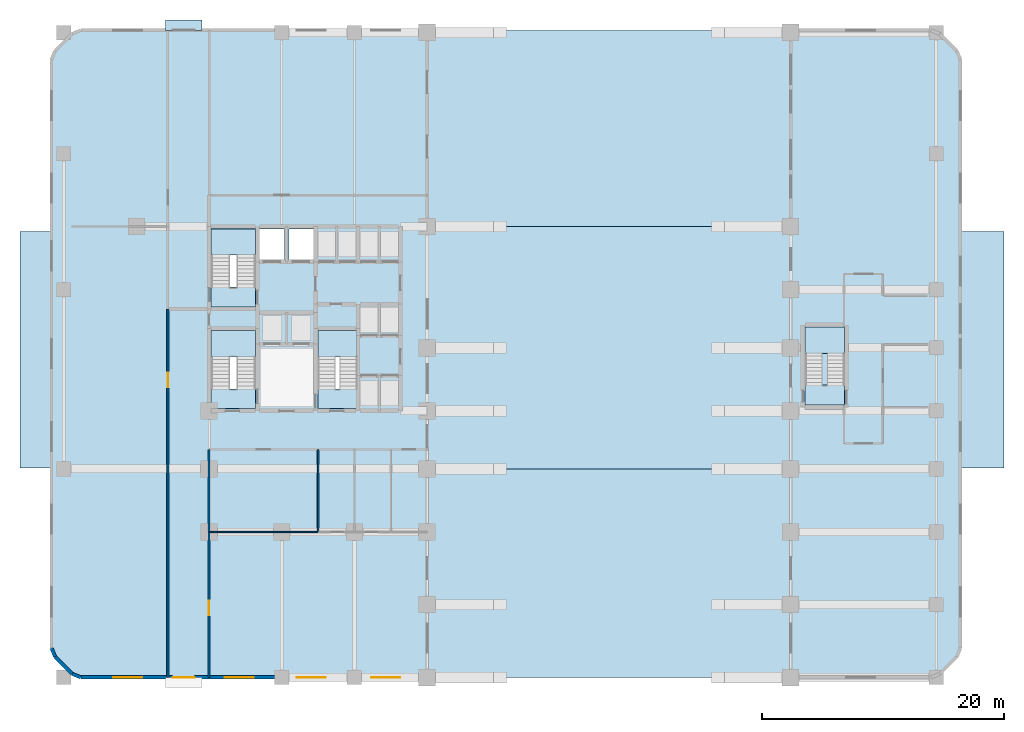
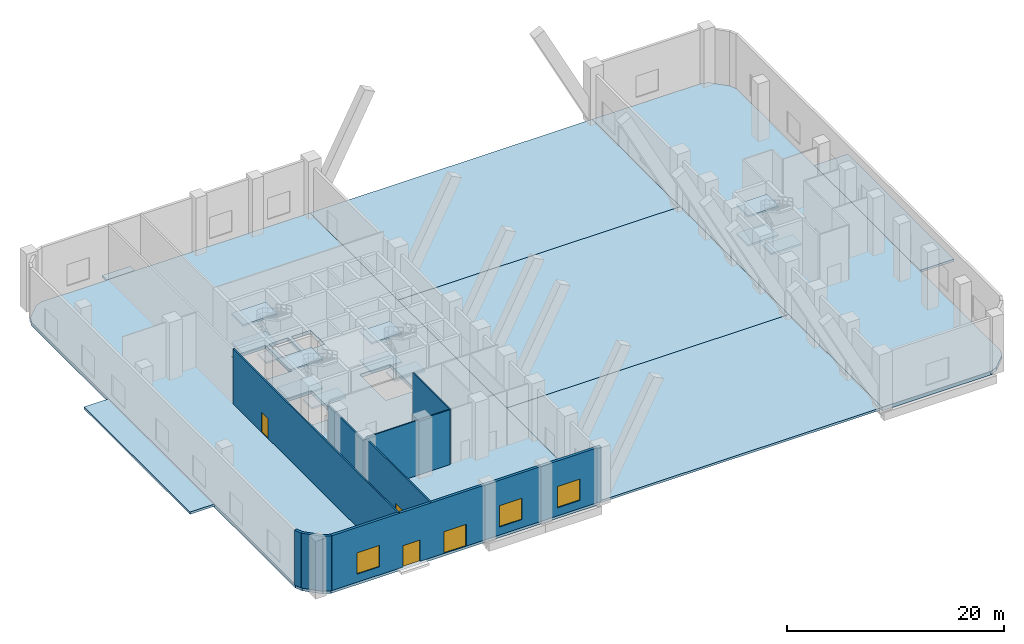
# One storey, part 2 of 10: 20 slabs, 9 walls, 4 doors, 3 windows, 7 openings, 4 elements without a shape of their own.
"""IFC4 building model written with IfcOpenShell, lengths in metres."""

from ifc_helpers import new_model, si_unit, direction, frame, frame_2d, origin, place, context, subcontext, project, spatial, polyline, rectangle, outline, extrude, material, layer, layer_set, type_object, element, fill, aggregate, save


model = new_model("IFC4")

# Units and contexts
model_context = context("Model", 3, precision=1e-05, world=origin(), true_north=direction((0.0, 1.0)))
body_context = subcontext(model_context, "Body", "Model", "MODEL_VIEW")
ifc_project = project(units=[si_unit("LENGTHUNIT", "METRE"), si_unit("AREAUNIT", "SQUARE_METRE"), si_unit("VOLUMEUNIT", "CUBIC_METRE"), si_unit("PLANEANGLEUNIT", "RADIAN"), si_unit("MASSUNIT", "GRAM", prefix="KILO")], contexts=[model_context])

# Site, building, storey
site_placement = place(None, origin())
site = spatial("IfcSite", under=ifc_project, at=site_placement, CompositionType="ELEMENT")
building_placement = place(site_placement, origin())
building = spatial("IfcBuilding", under=site, at=building_placement, Name="Keshet Zoharim Tower", CompositionType="ELEMENT")
storey_placement = place(building_placement, origin())
storey = spatial("IfcBuildingStorey", under=building, at=storey_placement, Name="L00", CompositionType="ELEMENT", Elevation=0.0)

# Slab
ifc_material_1 = material(Name="Concrete C50/60 precast", Category="concrete")
ifc_layer_1 = layer(ifc_material_1, 0.25)
ifc_layer_set_1 = layer_set([ifc_layer_1], Name="Concrete C50/60 precast")
slab_type_1 = type_object("IfcSlabType", Name="SLB-APR-250", PredefinedType="USERDEFINED", material=ifc_layer_set_1)
slab_1_placement = place(storey_placement, frame((0.0, 0.0, -0.25)))
element("IfcSlab", 1, at=slab_1_placement, inside=storey, type_object=slab_type_1, Name="North Exit Discharge Threshold Apron 01", ObjectType="APPROACH_SLAB", PredefinedType="USERDEFINED", context=body_context, shape_type="SweptSolid", body=[
    extrude(outline(polyline([(11.39990234375, 54.10009765625), (11.39990234375, 54.949951171875), (14.39990234375, 54.949951171875), (14.39990234375, 54.10009765625), (11.39990234375, 54.10009765625)])), origin(), (0.0, 0.0, 1.0), 0.25),
])

# Stair, slabs
ifc_material_2 = material(Name="Concrete C50/60", Category="concrete")
stair_type = type_object("IfcStairType", Name="STR-POD-135", PredefinedType="HALF_TURN_STAIR", material=ifc_material_2)
stair_1_placement = place(storey_placement, origin())
stair_1 = element("IfcStair", 2, at=stair_1_placement, inside=storey, type_object=stair_type, Name="L00 Enclosed Exit Stair ST-01", PredefinedType="HALF_TURN_STAIR")
ifc_layer_2 = layer(ifc_material_2, 0.199951171875)
ifc_layer_set_2 = layer_set([ifc_layer_2], Name="Concrete C50/60")
slab_type_2 = type_object("IfcSlabType", Name="SLB-LND-200", PredefinedType="LANDING", material=ifc_layer_set_2)
slab_2_placement = place(storey_placement, frame((0.0, 0.0, 1.425048828125)))
slab_2 = element("IfcSlab", 3, at=slab_2_placement, type_object=slab_type_2, Name="ST-01 landing 1", PredefinedType="LANDING", context=body_context, shape_type="SweptSolid", body=[
    extrude(outline(polyline([(15.179931640625, 27.14990234375), (18.820068359375, 27.14990234375), (18.820068359375, 29.320068359375), (15.179931640625, 29.320068359375), (15.179931640625, 27.14990234375)])), origin(), (0.0, 0.0, 1.0), 0.199951171875),
])
slab_3_placement = place(storey_placement, frame((0.0, 0.0, 3.050048828125)))
slab_3 = element("IfcSlab", 4, at=slab_3_placement, type_object=slab_type_2, Name="ST-01 landing 2", PredefinedType="LANDING", context=body_context, shape_type="SweptSolid", body=[
    extrude(outline(polyline([(15.179931640625, 22.8798828125), (18.820068359375, 22.8798828125), (18.820068359375, 24.52001953125), (15.179931640625, 24.52001953125), (15.179931640625, 22.8798828125)])), origin(), (0.0, 0.0, 1.0), 0.199951171875),
])
slab_4_placement = place(storey_placement, frame((0.0, 0.0, 4.675048828125)))
slab_4 = element("IfcSlab", 5, at=slab_4_placement, type_object=slab_type_2, Name="ST-01 landing 3", PredefinedType="LANDING", context=body_context, shape_type="SweptSolid", body=[
    extrude(outline(polyline([(15.179931640625, 27.14990234375), (18.820068359375, 27.14990234375), (18.820068359375, 29.320068359375), (15.179931640625, 29.320068359375), (15.179931640625, 27.14990234375)])), origin(), (0.0, 0.0, 1.0), 0.199951171875),
])
aggregate(stair_1, [slab_2, slab_3, slab_4])

stair_2_placement = place(storey_placement, origin())
stair_2 = element("IfcStair", 6, at=stair_2_placement, inside=storey, type_object=stair_type, Name="L00 Enclosed Exit Stair ST-02", PredefinedType="HALF_TURN_STAIR")
slab_5_placement = place(storey_placement, frame((0.0, 0.0, 1.425048828125)))
slab_5 = element("IfcSlab", 7, at=slab_5_placement, type_object=slab_type_2, Name="ST-02 landing 1", PredefinedType="LANDING", context=body_context, shape_type="SweptSolid", body=[
    extrude(outline(polyline([(15.179931640625, 35.550048828125), (18.820068359375, 35.550048828125), (18.820068359375, 37.719970703125), (15.179931640625, 37.719970703125), (15.179931640625, 35.550048828125)])), origin(), (0.0, 0.0, 1.0), 0.199951171875),
])
slab_6_placement = place(storey_placement, frame((0.0, 0.0, 3.050048828125)))
slab_6 = element("IfcSlab", 8, at=slab_6_placement, type_object=slab_type_2, Name="ST-02 landing 2", PredefinedType="LANDING", context=body_context, shape_type="SweptSolid", body=[
    extrude(outline(polyline([(15.179931640625, 31.280029296875), (18.820068359375, 31.280029296875), (18.820068359375, 32.919921875), (15.179931640625, 32.919921875), (15.179931640625, 31.280029296875)])), origin(), (0.0, 0.0, 1.0), 0.199951171875),
])
slab_7_placement = place(storey_placement, frame((0.0, 0.0, 4.675048828125)))
slab_7 = element("IfcSlab", 9, at=slab_7_placement, type_object=slab_type_2, Name="ST-02 landing 3", PredefinedType="LANDING", context=body_context, shape_type="SweptSolid", body=[
    extrude(outline(polyline([(15.179931640625, 35.550048828125), (18.820068359375, 35.550048828125), (18.820068359375, 37.719970703125), (15.179931640625, 37.719970703125), (15.179931640625, 35.550048828125)])), origin(), (0.0, 0.0, 1.0), 0.199951171875),
])
aggregate(stair_2, [slab_5, slab_6, slab_7])

stair_3_placement = place(storey_placement, origin())
stair_3 = element("IfcStair", 10, at=stair_3_placement, inside=storey, type_object=stair_type, Name="L00 Enclosed Exit Stair ST-03", PredefinedType="HALF_TURN_STAIR")
slab_8_placement = place(storey_placement, frame((0.0, 0.0, 1.425048828125)))
slab_8 = element("IfcSlab", 11, at=slab_8_placement, type_object=slab_type_2, Name="ST-03 landing 1", PredefinedType="LANDING", context=body_context, shape_type="SweptSolid", body=[
    extrude(outline(polyline([(23.97998046875, 27.14990234375), (27.219970703125, 27.14990234375), (27.219970703125, 29.320068359375), (23.97998046875, 29.320068359375), (23.97998046875, 27.14990234375)])), origin(), (0.0, 0.0, 1.0), 0.199951171875),
])
slab_9_placement = place(storey_placement, frame((0.0, 0.0, 3.050048828125)))
slab_9 = element("IfcSlab", 12, at=slab_9_placement, type_object=slab_type_2, Name="ST-03 landing 2", PredefinedType="LANDING", context=body_context, shape_type="SweptSolid", body=[
    extrude(outline(polyline([(23.97998046875, 22.8798828125), (27.219970703125, 22.8798828125), (27.219970703125, 24.52001953125), (23.97998046875, 24.52001953125), (23.97998046875, 22.8798828125)])), origin(), (0.0, 0.0, 1.0), 0.199951171875),
])
slab_10_placement = place(storey_placement, frame((0.0, 0.0, 4.675048828125)))
slab_10 = element("IfcSlab", 13, at=slab_10_placement, type_object=slab_type_2, Name="ST-03 landing 3", PredefinedType="LANDING", context=body_context, shape_type="SweptSolid", body=[
    extrude(outline(polyline([(23.97998046875, 27.14990234375), (27.219970703125, 27.14990234375), (27.219970703125, 29.320068359375), (23.97998046875, 29.320068359375), (23.97998046875, 27.14990234375)])), origin(), (0.0, 0.0, 1.0), 0.199951171875),
])
aggregate(stair_3, [slab_8, slab_9, slab_10])

stair_4_placement = place(storey_placement, origin())
stair_4 = element("IfcStair", 14, at=stair_4_placement, inside=storey, type_object=stair_type, Name="L00 Enclosed Exit Stair ST-04", PredefinedType="HALF_TURN_STAIR")
slab_11_placement = place(storey_placement, frame((0.0, 0.0, 1.425048828125)))
slab_11 = element("IfcSlab", 15, at=slab_11_placement, type_object=slab_type_2, Name="ST-04 landing 1", PredefinedType="LANDING", context=body_context, shape_type="SweptSolid", body=[
    extrude(outline(polyline([(64.179931640625, 27.449951171875), (67.419921875, 27.449951171875), (67.419921875, 29.6201171875), (64.179931640625, 29.6201171875), (64.179931640625, 27.449951171875)])), origin(), (0.0, 0.0, 1.0), 0.199951171875),
])
slab_12_placement = place(storey_placement, frame((0.0, 0.0, 3.050048828125)))
slab_12 = element("IfcSlab", 16, at=slab_12_placement, type_object=slab_type_2, Name="ST-04 landing 2", PredefinedType="LANDING", context=body_context, shape_type="SweptSolid", body=[
    extrude(outline(polyline([(64.179931640625, 23.179931640625), (67.419921875, 23.179931640625), (67.419921875, 24.820068359375), (64.179931640625, 24.820068359375), (64.179931640625, 23.179931640625)])), origin(), (0.0, 0.0, 1.0), 0.199951171875),
])
slab_13_placement = place(storey_placement, frame((0.0, 0.0, 4.675048828125)))
slab_13 = element("IfcSlab", 17, at=slab_13_placement, type_object=slab_type_2, Name="ST-04 landing 3", PredefinedType="LANDING", context=body_context, shape_type="SweptSolid", body=[
    extrude(outline(polyline([(64.179931640625, 27.449951171875), (67.419921875, 27.449951171875), (67.419921875, 29.6201171875), (64.179931640625, 29.6201171875), (64.179931640625, 27.449951171875)])), origin(), (0.0, 0.0, 1.0), 0.199951171875),
])
aggregate(stair_4, [slab_11, slab_12, slab_13])

# Slabs
ifc_layer_3 = layer(ifc_material_1, 0.25)
ifc_layer_set_3 = layer_set([ifc_layer_3], Name="Concrete C50/60 precast")
slab_type_3 = type_object("IfcSlabType", Name="SLB-PAV-250", PredefinedType="USERDEFINED", material=ifc_layer_set_3)
slab_14_placement = place(storey_placement, frame((0.0, 0.0, -0.25)))
element("IfcSlab", 18, at=slab_14_placement, inside=storey, type_object=slab_type_3, Name="Street Entrance Forecourt Paving WEST", ObjectType="PAVING", PredefinedType="USERDEFINED", context=body_context, shape_type="SweptSolid", body=[
    extrude(outline(polyline([(-0.60009765625, 18.0), (2.0, 18.0), (2.0, 37.5), (-0.60009765625, 37.5), (-0.60009765625, 18.0)])), origin(), (0.0, 0.0, 1.0), 0.25),
])
slab_15_placement = place(storey_placement, frame((0.0, 0.0, -0.25)))
element("IfcSlab", 19, at=slab_15_placement, inside=storey, type_object=slab_type_3, Name="Street Entrance Forecourt Paving EAST", ObjectType="PAVING", PredefinedType="USERDEFINED", context=body_context, shape_type="SweptSolid", body=[
    extrude(outline(polyline([(77.0, 18.0), (80.60009765625, 18.0), (80.60009765625, 37.5), (77.0, 37.5), (77.0, 18.0)])), origin(), (0.0, 0.0, 1.0), 0.25),
])
slab_16_placement = place(storey_placement, frame((0.0, 0.0, -0.25)))
element("IfcSlab", 20, at=slab_16_placement, inside=storey, type_object=slab_type_3, Name="Public Arch Concourse Paving 1", ObjectType="PAVING", PredefinedType="USERDEFINED", context=body_context, shape_type="SweptSolid", body=[
    extrude(outline(polyline([(33.0, 0.699951171875), (63.0, 0.699951171875), (63.0, 17.89990234375), (33.0, 17.89990234375), (33.0, 0.699951171875)])), origin(), (0.0, 0.0, 1.0), 0.25),
])
slab_17_placement = place(storey_placement, frame((0.0, 0.0, -0.25)))
element("IfcSlab", 21, at=slab_17_placement, inside=storey, type_object=slab_type_3, Name="Public Arch Concourse Paving 2", ObjectType="PAVING", PredefinedType="USERDEFINED", context=body_context, shape_type="SweptSolid", body=[
    extrude(outline(polyline([(33.0, 17.89990234375), (63.0, 17.89990234375), (63.0, 37.89990234375), (33.0, 37.89990234375), (33.0, 17.89990234375)])), origin(), (0.0, 0.0, 1.0), 0.25),
])
slab_18_placement = place(storey_placement, frame((0.0, 0.0, -0.25)))
element("IfcSlab", 22, at=slab_18_placement, inside=storey, type_object=slab_type_3, Name="Public Arch Concourse Paving 3", ObjectType="PAVING", PredefinedType="USERDEFINED", context=body_context, shape_type="SweptSolid", body=[
    extrude(outline(polyline([(33.0, 37.89990234375), (63.0, 37.89990234375), (63.0, 54.10009765625), (33.0, 54.10009765625), (33.0, 37.89990234375)])), origin(), (0.0, 0.0, 1.0), 0.25),
])
ifc_layer_4 = layer(ifc_material_2, 0.39990234375)
ifc_layer_set_4 = layer_set([ifc_layer_4], Name="Concrete C50/60")
slab_type_4 = type_object("IfcSlabType", Name="SLB-POD-400", PredefinedType="FLOOR", material=ifc_layer_set_4)
slab_19_placement = place(storey_placement, frame((0.0, 0.0, -0.39990234375)))
element("IfcSlab", 23, at=slab_19_placement, inside=storey, type_object=slab_type_4, Name="L00 Structural Floor Slab 1", PredefinedType="FLOOR", context=body_context, shape_type="SweptSolid", body=[
    extrude(outline(polyline([(2.0, 3.114013671875), (2.0, 51.68603515625), (2.29296875, 52.39306640625), (3.70703125, 53.806884765625), (4.4140625, 54.10009765625), (33.0, 54.10009765625), (33.0, 0.699951171875), (4.4140625, 0.699951171875), (3.70703125, 0.992919921875), (2.29296875, 2.406982421875), (2.0, 3.114013671875)]), holes=[polyline([(15.179931640625, 24.52001953125), (18.820068359375, 24.52001953125), (18.820068359375, 29.320068359375), (15.179931640625, 29.320068359375), (15.179931640625, 24.52001953125)]), polyline([(15.179931640625, 32.919921875), (18.820068359375, 32.919921875), (18.820068359375, 37.719970703125), (15.179931640625, 37.719970703125), (15.179931640625, 32.919921875)]), polyline([(23.97998046875, 24.52001953125), (27.219970703125, 24.52001953125), (27.219970703125, 29.320068359375), (23.97998046875, 29.320068359375), (23.97998046875, 24.52001953125)]), polyline([(19.179931640625, 35.14990234375), (21.219970703125, 35.14990234375), (21.219970703125, 37.719970703125), (19.179931640625, 37.719970703125), (19.179931640625, 35.14990234375)]), polyline([(21.580078125, 35.14990234375), (23.6201171875, 35.14990234375), (23.6201171875, 37.719970703125), (21.580078125, 37.719970703125), (21.580078125, 35.14990234375)])]), origin(), (0.0, 0.0, 1.0), 0.39990234375),
])
slab_20_placement = place(storey_placement, frame((0.0, 0.0, -0.39990234375)))
element("IfcSlab", 24, at=slab_20_placement, inside=storey, type_object=slab_type_4, Name="L00 Structural Floor Slab 2", PredefinedType="FLOOR", context=body_context, shape_type="SweptSolid", body=[
    extrude(outline(polyline([(74.5859375, 54.10009765625), (75.29296875, 53.806884765625), (76.70703125, 52.39306640625), (77.0, 51.68603515625), (77.0, 3.114013671875), (76.70703125, 2.406982421875), (75.29296875, 0.992919921875), (74.5859375, 0.699951171875), (63.0, 0.699951171875), (63.0, 54.10009765625), (74.5859375, 54.10009765625)])), origin(), (0.0, 0.0, 1.0), 0.39990234375),
])

# Wall, opening, door
ifc_material_3 = material(Name="Gypsum Plasterboard", Category="gypsum")
ifc_layer_5 = layer(ifc_material_3, 0.14990234375)
ifc_layer_set_5 = layer_set([ifc_layer_5], Name="Gypsum Plasterboard")
wall_type_1 = type_object("IfcWallType", Name="WL-CLIN-150", PredefinedType="STANDARD", material=ifc_layer_set_5)
wall_1_placement = place(storey_placement, frame((11.60009765625, 0.7099609375, 0.0), z_axis=(0.0, 0.0, 1.0), x_axis=(0.0, 1.0, 0.0)))
wall_1 = element("IfcWall", 25, at=wall_1_placement, inside=storey, type_object=wall_type_1, Name="L00 Interior Wall 001", PredefinedType="STANDARD", context=body_context, shape_type="SweptSolid", body=[
    extrude(rectangle(XDim=30.39013671875, YDim=0.14990234375, at=frame_2d((15.195068359375, 0.0))), origin(), (0.0, 0.0, 1.0), 6.169921875),
])
opening_1_placement = place(wall_1_placement, frame((23.9150390625, 0.0, 0.0)))
opening_1 = element("IfcOpeningElement", 26, at=opening_1_placement, cuts=wall_1, Name="Opening D-F612", PredefinedType="OPENING", context=body_context, shape_type="SweptSolid", body=[
    extrude(rectangle(XDim=1.199951171875, YDim=2.199951171875, at=frame_2d((0.60009765625, 1.10009765625))), frame((0.0, 0.0849609375, 0.0), z_axis=(0.0, -1.0, 0.0), x_axis=(1.0, 0.0, 0.0)), (0.0, 0.0, 1.0), 0.169921875),
])
ifc_material_4 = material(Name="Hardwood Timber", Category="wood")
door_type_1 = type_object("IfcDoorType", Name="DR-FD60-120", OperationType="NOTDEFINED", PredefinedType="DOOR", material=ifc_material_4)
door_1_placement = place(opening_1_placement, origin())
door_1 = element("IfcDoor", 27, at=door_1_placement, inside=storey, type_object=door_type_1, Name="Residential Entrance Lobby Internal Fire Door", OperationType="SINGLE_SWING_RIGHT", OverallHeight=2.199951171875, OverallWidth=1.199951171875, PredefinedType="DOOR", context=body_context, shape_type="SweptSolid", body=[
    extrude(rectangle(XDim=1.199951171875, YDim=2.199951171875, at=frame_2d((0.60009765625, 1.10009765625))), frame((0.0, 0.02490234375, 0.0), z_axis=(0.0, -1.0, 0.0), x_axis=(1.0, 0.0, 0.0)), (0.0, 0.0, 1.0), 0.050048828125),
])
fill(opening_1, door_1)

wall_2_placement = place(storey_placement, frame((15.0, 0.7099609375, 0.0), z_axis=(0.0, 0.0, 1.0), x_axis=(0.0, 1.0, 0.0)))
wall_2 = element("IfcWall", 28, at=wall_2_placement, inside=storey, type_object=wall_type_1, Name="L00 Interior Wall 004", PredefinedType="STANDARD", context=body_context, shape_type="SweptSolid", body=[
    extrude(rectangle(XDim=11.989990234375, YDim=0.14990234375, at=frame_2d((5.9951171875, 0.0))), origin(), (0.0, 0.0, 1.0), 6.169921875),
])
opening_2_placement = place(wall_2_placement, frame((5.118896484375, 0.0, 0.0)))
opening_2 = element("IfcOpeningElement", 29, at=opening_2_placement, cuts=wall_2, Name="Opening D-F612", PredefinedType="OPENING", context=body_context, shape_type="SweptSolid", body=[
    extrude(rectangle(XDim=1.199951171875, YDim=2.199951171875, at=frame_2d((0.60009765625, 1.10009765625))), frame((0.0, 0.0849609375, 0.0), z_axis=(0.0, -1.0, 0.0), x_axis=(1.0, 0.0, 0.0)), (0.0, 0.0, 1.0), 0.169921875),
])
door_2_placement = place(opening_2_placement, origin())
door_2 = element("IfcDoor", 30, at=door_2_placement, inside=storey, type_object=door_type_1, Name="South Concourse Residents Foyer Door", OperationType="SINGLE_SWING_RIGHT", OverallHeight=2.199951171875, OverallWidth=1.199951171875, PredefinedType="DOOR", context=body_context, shape_type="SweptSolid", body=[
    extrude(rectangle(XDim=1.199951171875, YDim=2.199951171875, at=frame_2d((0.60009765625, 1.10009765625))), frame((0.0, 0.02490234375, 0.0), z_axis=(0.0, -1.0, 0.0), x_axis=(1.0, 0.0, 0.0)), (0.0, 0.0, 1.0), 0.050048828125),
])
fill(opening_2, door_2)

# Wall
wall_3_placement = place(storey_placement, frame((15.0, 12.699951171875, 0.0), z_axis=(0.0, 0.0, 1.0), x_axis=(0.0, 1.0, 0.0)))
element("IfcWall", 31, at=wall_3_placement, inside=storey, type_object=wall_type_1, Name="L00 Interior Wall 005", PredefinedType="STANDARD", context=body_context, shape_type="SweptSolid", body=[
    extrude(rectangle(XDim=6.800048828125, YDim=0.14990234375, at=frame_2d((3.39990234375, 0.0))), origin(), (0.0, 0.0, 1.0), 5.669921875),
])

# Wall, openings, doors, windows
ifc_layer_6 = layer(ifc_material_1, 0.280029296875)
ifc_layer_set_6 = layer_set([ifc_layer_6], Name="Concrete C50/60 precast")
wall_type_2 = type_object("IfcWallType", Name="WL-EXT-280", PredefinedType="STANDARD", material=ifc_layer_set_6)
wall_4_placement = place(storey_placement, frame((33.0, 0.699951171875, 0.0), z_axis=(0.0, 0.0, 1.0), x_axis=(-1.0, 0.0, 0.0)))
wall_4 = element("IfcWall", 32, at=wall_4_placement, inside=storey, type_object=wall_type_2, Name="L00 Podium Precast Facade Wall 07", PredefinedType="STANDARD", context=body_context, shape_type="SweptSolid", body=[
    extrude(rectangle(XDim=28.5859375, YDim=0.280029296875, at=frame_2d((14.29296875, 0.0))), origin(), (0.0, 0.0, 1.0), 6.169921875),
])
opening_3_placement = place(wall_4_placement, frame((19.199951171875, 0.0, 0.0)))
opening_3 = element("IfcOpeningElement", 33, at=opening_3_placement, cuts=wall_4, Name="Opening D-EX18", PredefinedType="OPENING", context=body_context, shape_type="SweptSolid", body=[
    extrude(rectangle(XDim=1.800048828125, YDim=2.39990234375, at=frame_2d((0.89990234375, 1.199951171875))), frame((0.0, 0.14990234375, 0.0), z_axis=(0.0, -1.0, 0.0), x_axis=(1.0, 0.0, 0.0)), (0.0, 0.0, 1.0), 0.300048828125),
])
opening_4_placement = place(wall_4_placement, frame((14.29296875, 0.0, 0.0)))
opening_4 = element("IfcOpeningElement", 34, at=opening_4_placement, cuts=wall_4, Name="Opening G-SV24", PredefinedType="OPENING", context=body_context, shape_type="SweptSolid", body=[
    extrude(rectangle(XDim=2.39990234375, YDim=2.449951171875, at=frame_2d((1.199951171875, 1.22509765625))), frame((0.0, 0.14990234375, 0.0), z_axis=(0.0, -1.0, 0.0), x_axis=(1.0, 0.0, 0.0)), (0.0, 0.0, 1.0), 0.300048828125),
])
opening_5_placement = place(wall_4_placement, frame((2.222900390625, 0.0, 0.89990234375)))
opening_5 = element("IfcOpeningElement", 35, at=opening_5_placement, cuts=wall_4, Name="Opening W-240", PredefinedType="OPENING", context=body_context, shape_type="SweptSolid", body=[
    extrude(rectangle(XDim=2.39990234375, YDim=2.39990234375, at=frame_2d((1.199951171875, 1.199951171875))), frame((0.0, 0.14990234375, 0.0), z_axis=(0.0, -1.0, 0.0), x_axis=(1.0, 0.0, 0.0)), (0.0, 0.0, 1.0), 0.300048828125),
])
opening_6_placement = place(wall_4_placement, frame((8.3701171875, 0.0, 0.89990234375)))
opening_6 = element("IfcOpeningElement", 36, at=opening_6_placement, cuts=wall_4, Name="Opening W-240", PredefinedType="OPENING", context=body_context, shape_type="SweptSolid", body=[
    extrude(rectangle(XDim=2.39990234375, YDim=2.39990234375, at=frame_2d((1.199951171875, 1.199951171875))), frame((0.0, 0.14990234375, 0.0), z_axis=(0.0, -1.0, 0.0), x_axis=(1.0, 0.0, 0.0)), (0.0, 0.0, 1.0), 0.300048828125),
])
opening_7_placement = place(wall_4_placement, frame((23.512939453125, 0.0, 0.89990234375)))
opening_7 = element("IfcOpeningElement", 37, at=opening_7_placement, cuts=wall_4, Name="Opening W-240", PredefinedType="OPENING", context=body_context, shape_type="SweptSolid", body=[
    extrude(rectangle(XDim=2.39990234375, YDim=2.39990234375, at=frame_2d((1.199951171875, 1.199951171875))), frame((0.0, 0.14990234375, 0.0), z_axis=(0.0, -1.0, 0.0), x_axis=(1.0, 0.0, 0.0)), (0.0, 0.0, 1.0), 0.300048828125),
])
ifc_material_5 = material(Name="Aluminium 6063-T6", Category="aluminium")
door_type_2 = type_object("IfcDoorType", Name="DR-EXT-180", OperationType="DOUBLE_DOOR_SINGLE_SWING", PredefinedType="DOOR", material=ifc_material_5)
door_3_placement = place(opening_3_placement, origin())
door_3 = element("IfcDoor", 38, at=door_3_placement, inside=storey, type_object=door_type_2, Name="South Street Protected Exit Discharge Door 05", OperationType="DOUBLE_DOOR_SINGLE_SWING", OverallHeight=2.39990234375, OverallWidth=1.800048828125, PredefinedType="DOOR", context=body_context, shape_type="SweptSolid", body=[
    extrude(rectangle(XDim=1.800048828125, YDim=2.39990234375, at=frame_2d((0.89990234375, 1.199951171875))), frame((0.0, 0.02490234375, 0.0), z_axis=(0.0, -1.0, 0.0), x_axis=(1.0, 0.0, 0.0)), (0.0, 0.0, 1.0), 0.050048828125),
])
fill(opening_3, door_3)
ifc_material_6 = material(Name="Steel S355", Category="steel")
door_type_3 = type_object("IfcDoorType", Name="DR-GAT-240", OperationType="ROLLINGUP", PredefinedType="GATE", material=ifc_material_6)
door_4_placement = place(opening_4_placement, origin())
door_4 = element("IfcDoor", 39, at=door_4_placement, inside=storey, type_object=door_type_3, Name="Ground Service Access Gate 01", OperationType="ROLLINGUP", OverallHeight=2.449951171875, OverallWidth=2.39990234375, PredefinedType="GATE", context=body_context, shape_type="SweptSolid", body=[
    extrude(rectangle(XDim=2.39990234375, YDim=2.449951171875, at=frame_2d((1.199951171875, 1.22509765625))), frame((0.0, 0.02490234375, 0.0), z_axis=(0.0, -1.0, 0.0), x_axis=(1.0, 0.0, 0.0)), (0.0, 0.0, 1.0), 0.050048828125),
])
fill(opening_4, door_4)
ifc_material_7 = material(Name="Insulated Low-E Clear Glass", Category="glass")
window_type = type_object("IfcWindowType", Name="WN-POD-240", PartitioningType="DOUBLE_PANEL_VERTICAL", PredefinedType="WINDOW", material=ifc_material_7)
window_1_placement = place(opening_5_placement, origin())
window_1 = element("IfcWindow", 40, at=window_1_placement, inside=storey, type_object=window_type, Name="Podium Storefront Window 14", OverallHeight=2.39990234375, OverallWidth=2.39990234375, PartitioningType="DOUBLE_PANEL_VERTICAL", PredefinedType="WINDOW", context=body_context, shape_type="SweptSolid", body=[
    extrude(rectangle(XDim=2.39990234375, YDim=2.39990234375, at=frame_2d((1.199951171875, 1.199951171875))), frame((0.0, 0.030029296875, 0.0), z_axis=(0.0, -1.0, 0.0), x_axis=(1.0, 0.0, 0.0)), (0.0, 0.0, 1.0), 0.06005859375),
])
fill(opening_5, window_1)
window_2_placement = place(opening_6_placement, origin())
window_2 = element("IfcWindow", 41, at=window_2_placement, inside=storey, type_object=window_type, Name="Podium Storefront Window 15", OverallHeight=2.39990234375, OverallWidth=2.39990234375, PartitioningType="DOUBLE_PANEL_VERTICAL", PredefinedType="WINDOW", context=body_context, shape_type="SweptSolid", body=[
    extrude(rectangle(XDim=2.39990234375, YDim=2.39990234375, at=frame_2d((1.199951171875, 1.199951171875))), frame((0.0, 0.030029296875, 0.0), z_axis=(0.0, -1.0, 0.0), x_axis=(1.0, 0.0, 0.0)), (0.0, 0.0, 1.0), 0.06005859375),
])
fill(opening_6, window_2)
window_3_placement = place(opening_7_placement, origin())
window_3 = element("IfcWindow", 42, at=window_3_placement, inside=storey, type_object=window_type, Name="Podium Storefront Window 16", OverallHeight=2.39990234375, OverallWidth=2.39990234375, PartitioningType="DOUBLE_PANEL_VERTICAL", PredefinedType="WINDOW", context=body_context, shape_type="SweptSolid", body=[
    extrude(rectangle(XDim=2.39990234375, YDim=2.39990234375, at=frame_2d((1.199951171875, 1.199951171875))), frame((0.0, 0.030029296875, 0.0), z_axis=(0.0, -1.0, 0.0), x_axis=(1.0, 0.0, 0.0)), (0.0, 0.0, 1.0), 0.06005859375),
])
fill(opening_7, window_3)

# Walls
wall_5_placement = place(storey_placement, frame((4.4140625, 0.699951171875, 0.0), z_axis=(0.0, 0.0, 1.0), x_axis=(-0.92383017907, 0.382802560388, 0.0)))
element("IfcWall", 43, at=wall_5_placement, inside=storey, type_object=wall_type_2, Name="L00 Podium Precast Facade Wall 08", PredefinedType="STANDARD", context=body_context, shape_type="SweptSolid", body=[
    extrude(rectangle(XDim=0.765380859375, YDim=0.280029296875, at=frame_2d((0.3828125, 0.0))), origin(), (0.0, 0.0, 1.0), 6.169921875),
])
wall_6_placement = place(storey_placement, frame((3.70703125, 0.992919921875, 0.0), z_axis=(0.0, 0.0, 1.0), x_axis=(-0.707106781187, 0.707106781187, 0.0)))
element("IfcWall", 44, at=wall_6_placement, inside=storey, type_object=wall_type_2, Name="L00 Podium Precast Facade Wall 09", PredefinedType="STANDARD", context=body_context, shape_type="SweptSolid", body=[
    extrude(rectangle(XDim=1.999755859375, YDim=0.280029296875, at=frame_2d((1.0, 0.0))), origin(), (0.0, 0.0, 1.0), 6.169921875),
])
wall_7_placement = place(storey_placement, frame((2.29296875, 2.406982421875, 0.0), z_axis=(0.0, 0.0, 1.0), x_axis=(-0.382802560388, 0.92383017907, 0.0)))
element("IfcWall", 45, at=wall_7_placement, inside=storey, type_object=wall_type_2, Name="L00 Podium Precast Facade Wall 10", PredefinedType="STANDARD", context=body_context, shape_type="SweptSolid", body=[
    extrude(rectangle(XDim=0.765380859375, YDim=0.280029296875, at=frame_2d((0.3828125, 0.0))), origin(), (0.0, 0.0, 1.0), 6.169921875),
])
ifc_layer_7 = layer(ifc_material_3, 0.1201171875)
ifc_layer_set_7 = layer_set([ifc_layer_7], Name="Gypsum Plasterboard")
wall_type_3 = type_object("IfcWallType", Name="WL-PART-120", PredefinedType="PARTITIONING", material=ifc_layer_set_7)
wall_8_placement = place(storey_placement, frame((15.06005859375, 12.699951171875, 0.0), z_axis=(0.0, 0.0, 1.0), x_axis=(1.0, 0.0, 0.0)))
element("IfcWall", 46, at=wall_8_placement, inside=storey, type_object=wall_type_3, Name="L00 Interior Wall 047", PredefinedType="PARTITIONING", context=body_context, shape_type="SweptSolid", body=[
    extrude(rectangle(XDim=8.89501953125, YDim=0.1201171875, at=frame_2d((4.447509765625, 0.0))), origin(), (0.0, 0.0, 1.0), 6.169921875),
])
ifc_layer_8 = layer(ifc_material_3, 0.1201171875)
ifc_layer_set_8 = layer_set([ifc_layer_8], Name="Gypsum Plasterboard")
wall_type_4 = type_object("IfcWallType", Name="WL-WET-120", PredefinedType="PARTITIONING", material=ifc_layer_set_8)
wall_9_placement = place(storey_placement, frame((24.0, 12.699951171875, 0.0), z_axis=(0.0, 0.0, 1.0), x_axis=(0.0, 1.0, 0.0)))
element("IfcWall", 47, at=wall_9_placement, inside=storey, type_object=wall_type_4, Name="L00 Interior Wall 023", PredefinedType="PARTITIONING", context=body_context, shape_type="SweptSolid", body=[
    extrude(rectangle(XDim=6.800048828125, YDim=0.1201171875, at=frame_2d((3.39990234375, 0.0))), origin(), (0.0, 0.0, 1.0), 6.169921875),
])

save(model, "model.ifc")
